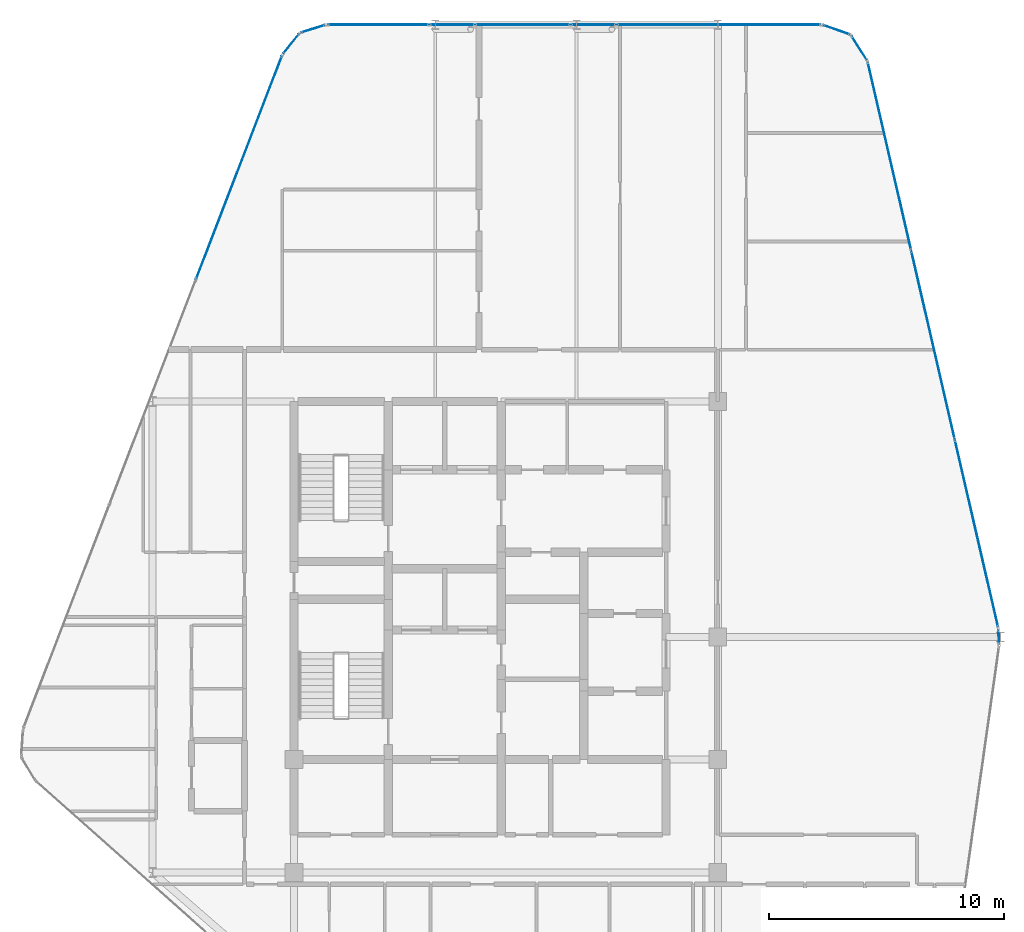
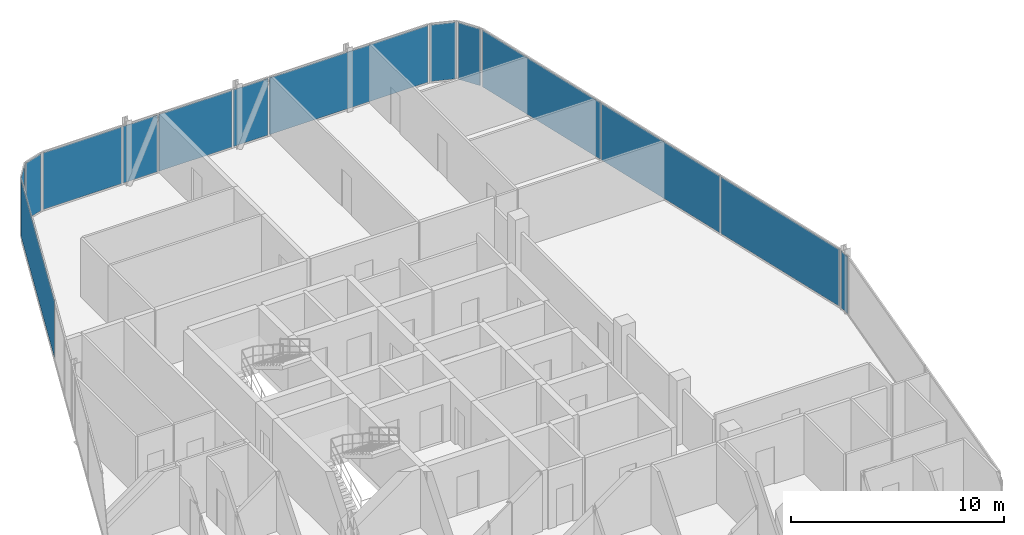
# One storey, part 21 of 27: 14 plates, 12 elements without a shape of their own.
"""IFC4 building model written with IfcOpenShell, lengths in metres."""

from ifc_helpers import new_model, si_unit, direction, frame, origin, origin_2d, place, context, subcontext, project, spatial, rectangle, extrude, material, layer, layer_set, type_object, element, aggregate, save


model = new_model("IFC4")

# Units and contexts
model_context = context("Model", 3, precision=1e-05, world=origin(), true_north=direction((0.0, 1.0)))
body_context = subcontext(model_context, "Body", "Model", "MODEL_VIEW")
ifc_project = project(units=[si_unit("LENGTHUNIT", "METRE"), si_unit("AREAUNIT", "SQUARE_METRE"), si_unit("VOLUMEUNIT", "CUBIC_METRE"), si_unit("PLANEANGLEUNIT", "RADIAN"), si_unit("MASSUNIT", "GRAM", prefix="KILO")], contexts=[model_context])

# Site, building, storey
site_placement = place(None, origin())
site = spatial("IfcSite", under=ifc_project, at=site_placement, CompositionType="ELEMENT")
building_placement = place(site_placement, origin())
building = spatial("IfcBuilding", under=site, at=building_placement, Name="Keshet Zoharim Tower", CompositionType="ELEMENT")
storey_placement = place(building_placement, frame((0.0, 0.0, 247.300048828125)))
storey = spatial("IfcBuildingStorey", under=building, at=storey_placement, Name="L61", CompositionType="ELEMENT", Elevation=247.300048828125)

# Curtain wall, plate
ifc_material_1 = material(Name="Aluminium 6063-T6", Category="aluminium")
ifc_layer_1 = layer(ifc_material_1, 0.260009765625)
ifc_layer_set_1 = layer_set([ifc_layer_1], Name="Aluminium 6063-T6")
curtain_wall_type = type_object("IfcCurtainWallType", Name="CW-SYS-06", PredefinedType="NOTDEFINED", material=ifc_layer_set_1)
curtain_wall_1_placement = place(storey_placement, origin())
curtain_wall_1 = element("IfcCurtainWall", 1, at=curtain_wall_1_placement, inside=storey, type_object=curtain_wall_type, Name="L61 Unitised Curtain Wall 03", PredefinedType="NOTDEFINED")
ifc_material_2 = material(Name="Insulated Low-E Clear Glass", Category="glass")
ifc_layer_2 = layer(ifc_material_2, 0.028076171875)
ifc_layer_set_2 = layer_set([ifc_layer_2], Name="Insulated Low-E Clear Glass")
plate_type_1 = type_object("IfcPlateType", Name="CWP-03", PredefinedType="CURTAIN_PANEL", material=ifc_layer_set_2)
plate_1_placement = place(storey_placement, frame((12.665771484375, 47.830810546875, 0.070068359375), z_axis=(0.0, 0.0, 1.0), x_axis=(0.358990003907, 0.933341404361, 0.0)))
plate_1 = element("IfcPlate", 2, at=plate_1_placement, type_object=plate_type_1, Name="CW-06 panel 3.1", PredefinedType="CURTAIN_PANEL", context=body_context, shape_type="SweptSolid", body=[
    extrude(rectangle(XDim=10.1181640625, YDim=0.028076171875, at=origin_2d()), origin(), (0.0, 0.0, 1.0), 3.25),
])
aggregate(curtain_wall_1, [plate_1])

curtain_wall_2_placement = place(storey_placement, origin())
curtain_wall_2 = element("IfcCurtainWall", 3, at=curtain_wall_2_placement, inside=storey, type_object=curtain_wall_type, Name="L61 Unitised Curtain Wall 04", PredefinedType="NOTDEFINED")
plate_2_placement = place(storey_placement, frame((14.8740234375, 53.08349609375, 0.070068359375), z_axis=(0.0, 0.0, 1.0), x_axis=(0.619124525989, 0.785292825205, 0.0)))
plate_2 = element("IfcPlate", 4, at=plate_2_placement, type_object=plate_type_1, Name="CW-06 panel 1.1", PredefinedType="CURTAIN_PANEL", context=body_context, shape_type="SweptSolid", body=[
    extrude(rectangle(XDim=1.045654296875, YDim=0.028076171875, at=origin_2d()), origin(), (0.0, 0.0, 1.0), 3.25),
])
aggregate(curtain_wall_2, [plate_2])

curtain_wall_3_placement = place(storey_placement, origin())
curtain_wall_3 = element("IfcCurtainWall", 5, at=curtain_wall_3_placement, inside=storey, type_object=curtain_wall_type, Name="L61 Unitised Curtain Wall 05", PredefinedType="NOTDEFINED")
plate_3_placement = place(storey_placement, frame((15.8076171875, 53.724609375, 0.070068359375), z_axis=(0.0, 0.0, 1.0), x_axis=(0.955212151288, 0.295921857984, 0.0)))
plate_3 = element("IfcPlate", 6, at=plate_3_placement, type_object=plate_type_1, Name="CW-06 panel 1.1", PredefinedType="CURTAIN_PANEL", context=body_context, shape_type="SweptSolid", body=[
    extrude(rectangle(XDim=1.046142578125, YDim=0.028076171875, at=origin_2d()), origin(), (0.0, 0.0, 1.0), 3.25),
])
aggregate(curtain_wall_3, [plate_3])

curtain_wall_4_placement = place(storey_placement, origin())
curtain_wall_4 = element("IfcCurtainWall", 7, at=curtain_wall_4_placement, inside=storey, type_object=curtain_wall_type, Name="L61 Unitised Curtain Wall 06", PredefinedType="NOTDEFINED")
plate_4_placement = place(storey_placement, frame((18.57470703125, 53.89990234375, 0.070068359375), z_axis=(0.0, 0.0, 1.0), x_axis=(1.0, 0.0, 0.0)))
plate_4 = element("IfcPlate", 8, at=plate_4_placement, type_object=plate_type_1, Name="CW-06 panel 1.1", PredefinedType="CURTAIN_PANEL", context=body_context, shape_type="SweptSolid", body=[
    extrude(rectangle(XDim=4.26123046875, YDim=0.028076171875, at=origin_2d()), origin(), (0.0, 0.0, 1.0), 3.25),
])
aggregate(curtain_wall_4, [plate_4])

curtain_wall_5_placement = place(storey_placement, origin())
curtain_wall_5 = element("IfcCurtainWall", 9, at=curtain_wall_5_placement, inside=storey, type_object=curtain_wall_type, Name="L61 Unitised Curtain Wall 06 Part 3", PredefinedType="NOTDEFINED")
plate_5_placement = place(storey_placement, frame((24.715087890625, 53.89990234375, 0.070068359375), z_axis=(0.0, 0.0, 1.0), x_axis=(1.0, 0.0, 0.0)))
plate_5 = element("IfcPlate", 10, at=plate_5_placement, type_object=plate_type_1, Name="CW-06 panel 1.1", PredefinedType="CURTAIN_PANEL", context=body_context, shape_type="SweptSolid", body=[
    extrude(rectangle(XDim=3.98046875, YDim=0.028076171875, at=origin_2d()), origin(), (0.0, 0.0, 1.0), 3.25),
])
aggregate(curtain_wall_5, [plate_5])

curtain_wall_6_placement = place(storey_placement, origin())
curtain_wall_6 = element("IfcCurtainWall", 11, at=curtain_wall_6_placement, inside=storey, type_object=curtain_wall_type, Name="L61 Unitised Curtain Wall 06 Part 5", PredefinedType="NOTDEFINED")
plate_6_placement = place(storey_placement, frame((33.031982421875, 53.89990234375, 0.070068359375), z_axis=(0.0, 0.0, 1.0), x_axis=(1.0, 0.0, 0.0)))
plate_6 = element("IfcPlate", 12, at=plate_6_placement, type_object=plate_type_1, Name="CW-06 panel 1.1", PredefinedType="CURTAIN_PANEL", context=body_context, shape_type="SweptSolid", body=[
    extrude(rectangle(XDim=8.6142578125, YDim=0.028076171875, at=origin_2d()), origin(), (0.0, 0.0, 1.0), 3.25),
])
aggregate(curtain_wall_6, [plate_6])

curtain_wall_7_placement = place(storey_placement, origin())
curtain_wall_7 = element("IfcCurtainWall", 13, at=curtain_wall_7_placement, inside=storey, type_object=curtain_wall_type, Name="L61 Unitised Curtain Wall 07", PredefinedType="NOTDEFINED")
plate_7_placement = place(storey_placement, frame((38.031494140625, 53.6826171875, 0.070068359375), z_axis=(0.0, 0.0, 1.0), x_axis=(0.944035542119, -0.329843743636, 0.0)))
plate_7 = element("IfcPlate", 14, at=plate_7_placement, type_object=plate_type_1, Name="CW-06 panel 1.1", PredefinedType="CURTAIN_PANEL", context=body_context, shape_type="SweptSolid", body=[
    extrude(rectangle(XDim=1.1787109375, YDim=0.028076171875, at=origin_2d()), origin(), (0.0, 0.0, 1.0), 3.25),
])
aggregate(curtain_wall_7, [plate_7])

curtain_wall_8_placement = place(storey_placement, origin())
curtain_wall_8 = element("IfcCurtainWall", 15, at=curtain_wall_8_placement, inside=storey, type_object=curtain_wall_type, Name="L61 Unitised Curtain Wall 08", PredefinedType="NOTDEFINED")
plate_8_placement = place(storey_placement, frame((39.006103515625, 52.907470703125, 0.070068359375), z_axis=(0.0, 0.0, 1.0), x_axis=(0.533878858502, -0.845560976183, 0.0)))
plate_8 = element("IfcPlate", 16, at=plate_8_placement, type_object=plate_type_1, Name="CW-06 panel 1.1", PredefinedType="CURTAIN_PANEL", context=body_context, shape_type="SweptSolid", body=[
    extrude(rectangle(XDim=1.1787109375, YDim=0.028076171875, at=origin_2d()), origin(), (0.0, 0.0, 1.0), 3.25),
])
aggregate(curtain_wall_8, [plate_8])

# Curtain wall, plates
curtain_wall_9_placement = place(storey_placement, origin())
curtain_wall_9 = element("IfcCurtainWall", 17, at=curtain_wall_9_placement, inside=storey, type_object=curtain_wall_type, Name="L61 Unitised Curtain Wall 09", PredefinedType="NOTDEFINED")
plate_9_placement = place(storey_placement, frame((40.288330078125, 48.318359375, 0.070068359375), z_axis=(0.0, 0.0, 1.0), x_axis=(0.224829963294, -0.974398012932, 0.0)))
plate_9 = element("IfcPlate", 18, at=plate_9_placement, type_object=plate_type_1, Name="CW-06 panel 1.1", PredefinedType="CURTAIN_PANEL", context=body_context, shape_type="SweptSolid", body=[
    extrude(rectangle(XDim=8.13525390625, YDim=0.028076171875, at=origin_2d()), origin(), (0.0, 0.0, 1.0), 3.25),
])
plate_10_placement = place(storey_placement, frame((42.136962890625, 40.305908203125, 0.070068359375), z_axis=(0.0, 0.0, 1.0), x_axis=(0.224829963294, -0.974398012932, 0.0)))
plate_10 = element("IfcPlate", 19, at=plate_10_placement, type_object=plate_type_1, Name="CW-06 panel 2.1", PredefinedType="CURTAIN_PANEL", context=body_context, shape_type="SweptSolid", body=[
    extrude(rectangle(XDim=8.17041015625, YDim=0.028076171875, at=origin_2d()), origin(), (0.0, 0.0, 1.0), 3.25),
])
plate_11_placement = place(storey_placement, frame((43.98583984375, 32.293701171875, 0.070068359375), z_axis=(0.0, 0.0, 1.0), x_axis=(0.224829963294, -0.974398012932, 0.0)))
plate_11 = element("IfcPlate", 20, at=plate_11_placement, type_object=plate_type_1, Name="CW-06 panel 3.1", PredefinedType="CURTAIN_PANEL", context=body_context, shape_type="SweptSolid", body=[
    extrude(rectangle(XDim=8.13525390625, YDim=0.028076171875, at=origin_2d()), origin(), (0.0, 0.0, 1.0), 3.25),
])
aggregate(curtain_wall_9, [plate_9, plate_10, plate_11])

# Curtain wall, plate
curtain_wall_10_placement = place(storey_placement, origin())
curtain_wall_10 = element("IfcCurtainWall", 21, at=curtain_wall_10_placement, inside=storey, type_object=curtain_wall_type, Name="L61 Unitised Curtain Wall 10", PredefinedType="NOTDEFINED")
plate_12_placement = place(storey_placement, frame((44.931884765625, 27.89697265625, 0.070068359375), z_axis=(0.0, 0.0, 1.0), x_axis=(0.043793560626, -0.999040601801, 0.0)))
plate_12 = element("IfcPlate", 22, at=plate_12_placement, type_object=plate_type_1, Name="CW-06 panel 1.1", PredefinedType="CURTAIN_PANEL", context=body_context, shape_type="SweptSolid", body=[
    extrude(rectangle(XDim=0.5908203125, YDim=0.028076171875, at=origin_2d()), origin(), (0.0, 0.0, 1.0), 3.25),
])
aggregate(curtain_wall_10, [plate_12])

curtain_wall_11_placement = place(storey_placement, origin())
curtain_wall_11 = element("IfcCurtainWall", 23, at=curtain_wall_11_placement, inside=storey, type_object=curtain_wall_type, Name="L61 Unitised Curtain Wall 06 Part 2", PredefinedType="NOTDEFINED")
ifc_material_3 = material(Name="Insulated Aluminium Spandrel Panel", Category="aluminium")
ifc_layer_3 = layer(ifc_material_3, 0.028076171875)
ifc_layer_set_3 = layer_set([ifc_layer_3], Name="Insulated Aluminium Spandrel Panel")
plate_type_2 = type_object("IfcPlateType", Name="CWP-06", PredefinedType="CURTAIN_PANEL", material=ifc_layer_set_3)
plate_13_placement = place(storey_placement, frame((21.715087890625, 53.89990234375, 0.070068359375), z_axis=(0.0, 0.0, 1.0), x_axis=(1.0, 0.0, 0.0)))
plate_13 = element("IfcPlate", 24, at=plate_13_placement, type_object=plate_type_2, Name="CW-06 spandrel panel 1.1", PredefinedType="CURTAIN_PANEL", context=body_context, shape_type="SweptSolid", body=[
    extrude(rectangle(XDim=1.879638671875, YDim=0.028076171875, at=origin_2d()), origin(), (0.0, 0.0, 1.0), 3.25),
])
aggregate(curtain_wall_11, [plate_13])

curtain_wall_12_placement = place(storey_placement, origin())
curtain_wall_12 = element("IfcCurtainWall", 25, at=curtain_wall_12_placement, inside=storey, type_object=curtain_wall_type, Name="L61 Unitised Curtain Wall 06 Part 4", PredefinedType="NOTDEFINED")
plate_14_placement = place(storey_placement, frame((27.715087890625, 53.89990234375, 0.070068359375), z_axis=(0.0, 0.0, 1.0), x_axis=(1.0, 0.0, 0.0)))
plate_14 = element("IfcPlate", 26, at=plate_14_placement, type_object=plate_type_2, Name="CW-06 spandrel panel 1.1", PredefinedType="CURTAIN_PANEL", context=body_context, shape_type="SweptSolid", body=[
    extrude(rectangle(XDim=1.879638671875, YDim=0.028076171875, at=origin_2d()), origin(), (0.0, 0.0, 1.0), 3.25),
])
aggregate(curtain_wall_12, [plate_14])

save(model, "model.ifc")
